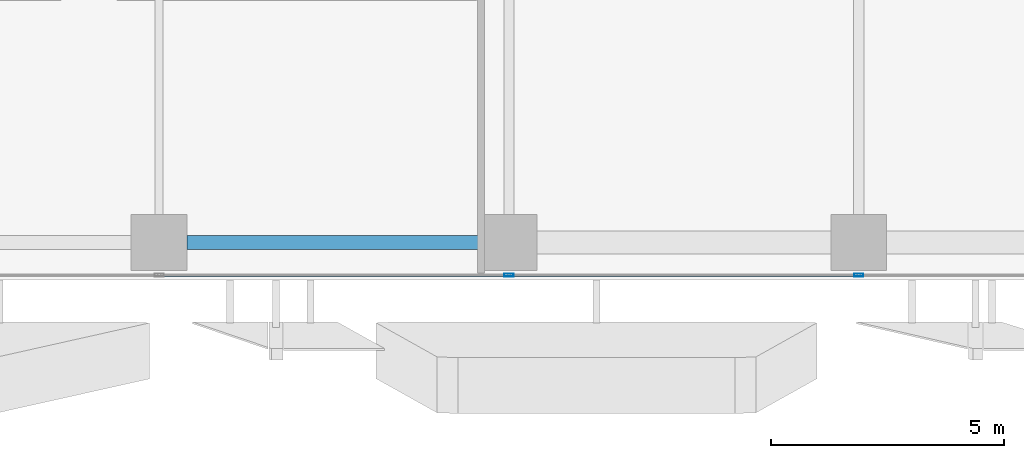
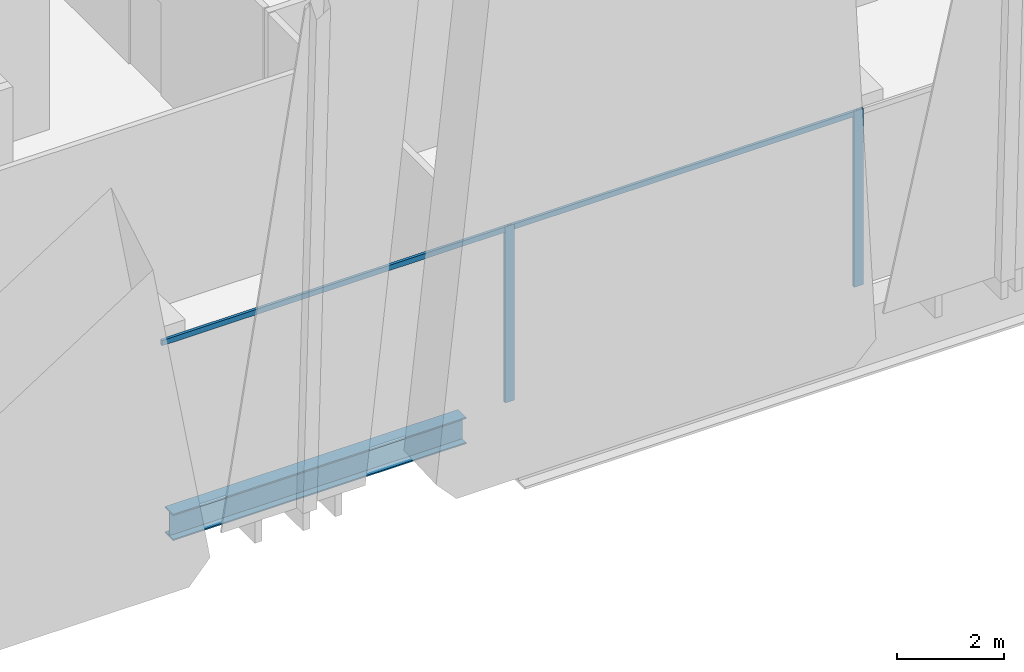
# One storey, part 6 of 46: 4 members, 1 beam, 1 element without a shape of its own.
"""IFC4 building model written with IfcOpenShell, lengths in metres."""

from ifc_helpers import new_model, si_unit, direction, frame, origin, origin_2d, place, context, subcontext, project, spatial, hollow_rectangle, i_section, extrude, source, transform, mapped, material, material_profile, profile_set, type_object, element, aggregate, save


model = new_model("IFC4")

# Units and contexts
model_context = context("Model", 3, precision=1e-05, world=origin(), true_north=direction((0.0, 1.0)))
body_context = subcontext(model_context, "Body", "Model", "MODEL_VIEW")
ifc_project = project(units=[si_unit("LENGTHUNIT", "METRE"), si_unit("AREAUNIT", "SQUARE_METRE"), si_unit("VOLUMEUNIT", "CUBIC_METRE"), si_unit("PLANEANGLEUNIT", "RADIAN"), si_unit("MASSUNIT", "GRAM", prefix="KILO")], contexts=[model_context])

# Site, building, storey
site_placement = place(None, origin())
site = spatial("IfcSite", under=ifc_project, at=site_placement, CompositionType="ELEMENT")
building_placement = place(site_placement, origin())
building = spatial("IfcBuilding", under=site, at=building_placement, Name="Khomas Fold Tower", CompositionType="ELEMENT")
storey_placement = place(building_placement, frame((0.0, 0.0, 33.0)))
storey = spatial("IfcBuildingStorey", under=building, at=storey_placement, Name="L06", CompositionType="ELEMENT", Elevation=33.0)

# Beam
ifc_material_1 = material(Name="Steel S355", Category="steel")
ifc_material_profile_1 = material_profile(ifc_material_1, i_section(OverallWidth=0.300048828125, OverallDepth=0.60009765625, WebThickness=0.015380859375, FlangeThickness=0.030029296875, at=origin_2d()), Name="HE 600 B")
ifc_profile_set_1 = profile_set([ifc_material_profile_1], Name="Steel S355")
beam_type = type_object("IfcBeamType", Name="HE 600 B spandrel SB1", PredefinedType="SPANDREL", material=ifc_profile_set_1)
shared_shape_1 = source(origin(), body_context, "Body", "SweptSolid", [
    extrude(i_section(OverallWidth=0.300048828125, OverallDepth=0.60009765625, WebThickness=0.015380859375, FlangeThickness=0.030029296875, at=origin_2d()), origin(), (0.0, 0.0, 1.0), 6.2998046875),
])
beam_placement = place(storey_placement, frame((20.10009765625, 0.800048828125, -0.800048828125), z_axis=(1.0, 0.0, 0.0), x_axis=(0.0, 1.0, 0.0)))
element("IfcBeam", 1, at=beam_placement, inside=storey, type_object=beam_type, Name="SB1", PredefinedType="SPANDREL", context=body_context, shape_type="MappedRepresentation", body=[
    mapped(shared_shape_1, transform((0.0, 0.0, 0.0))),
])

# Curtain wall, members
ifc_material_2 = material(Name="Aluminium framed double glazing", Category="aluminium")
curtain_wall_type = type_object("IfcCurtainWallType", Name="SK-Unitised clear-glass wall, growing floors CW1", PredefinedType="NOTDEFINED", material=ifc_material_2)
curtain_wall_placement = place(storey_placement, origin())
curtain_wall = element("IfcCurtainWall", 2, at=curtain_wall_placement, inside=storey, type_object=curtain_wall_type, Name="CW1 run L06 00-0", PredefinedType="NOTDEFINED")
ifc_material_3 = material(Name="Aluminium", Category="aluminium")
ifc_material_profile_2 = material_profile(ifc_material_3, hollow_rectangle(XDim=0.06005859375, YDim=0.199951171875, WallThickness=0.00390625, at=origin_2d()), Name="SK-Unitised clear-glass wall, growing floors mullion CW1-M")
ifc_profile_set_2 = profile_set([ifc_material_profile_2], Name="Aluminium")
member_type_1 = type_object("IfcMemberType", Name="SK-Unitised clear-glass wall, growing floors mullion CW1-M", PredefinedType="MULLION", material=ifc_profile_set_2)
shared_shape_2 = source(origin(), body_context, "Body", "SweptSolid", [
    extrude(hollow_rectangle(XDim=0.06005859375, YDim=0.199951171875, WallThickness=0.00390625, at=origin_2d()), origin(), (0.0, 0.0, 1.0), 4.0),
])
member_1_placement = place(storey_placement, frame((27.0, 0.10009765625, 0.0), z_axis=(0.0, 0.0, 1.0), x_axis=(0.0, 1.0, 0.0)))
member_1 = element("IfcMember", 3, at=member_1_placement, type_object=member_type_1, Name="CW1 mullion 5", PredefinedType="MULLION", context=body_context, shape_type="MappedRepresentation", body=[
    mapped(shared_shape_2, transform((0.0, 0.0, 0.0))),
])
member_2_placement = place(storey_placement, frame((34.5, 0.10009765625, 0.0), z_axis=(0.0, 0.0, 1.0), x_axis=(0.0, 1.0, 0.0)))
member_2 = element("IfcMember", 4, at=member_2_placement, type_object=member_type_1, Name="CW1 mullion 6", PredefinedType="MULLION", context=body_context, shape_type="MappedRepresentation", body=[
    mapped(shared_shape_2, transform((0.0, 0.0, 0.0))),
])
ifc_material_4 = material(Name="Aluminium", Category="aluminium")
ifc_material_profile_3 = material_profile(ifc_material_4, hollow_rectangle(XDim=0.06005859375, YDim=0.1201171875, WallThickness=0.00390625, at=origin_2d()), Name="SK-Unitised clear-glass wall, growing floors transom CW1-T")
ifc_profile_set_3 = profile_set([ifc_material_profile_3], Name="Aluminium")
member_type_2 = type_object("IfcMemberType", Name="SK-Unitised clear-glass wall, growing floors transom CW1-T", PredefinedType="USERDEFINED", material=ifc_profile_set_3)
shared_shape_3 = source(origin(), body_context, "Body", "SweptSolid", [
    extrude(hollow_rectangle(XDim=0.06005859375, YDim=0.1201171875, WallThickness=0.00390625, at=origin_2d()), origin(), (0.0, 0.0, 1.0), 7.43994140625),
])
member_3_placement = place(storey_placement, frame((19.530029296875, 0.10009765625, 3.93994140625), z_axis=(1.0, 0.0, 0.0), x_axis=(0.0, 1.0, 0.0)))
member_3 = element("IfcMember", 5, at=member_3_placement, type_object=member_type_2, Name="CW1 transom 4", ObjectType="TRANSOM", PredefinedType="USERDEFINED", context=body_context, shape_type="MappedRepresentation", body=[
    mapped(shared_shape_3, transform((0.0, 0.0, 0.0))),
])
member_4_placement = place(storey_placement, frame((27.030029296875, 0.10009765625, 3.93994140625), z_axis=(1.0, 0.0, 0.0), x_axis=(0.0, 1.0, 0.0)))
member_4 = element("IfcMember", 6, at=member_4_placement, type_object=member_type_2, Name="CW1 transom 5", ObjectType="TRANSOM", PredefinedType="USERDEFINED", context=body_context, shape_type="MappedRepresentation", body=[
    mapped(shared_shape_3, transform((0.0, 0.0, 0.0))),
])
aggregate(curtain_wall, [member_1, member_2, member_3, member_4])

save(model, "model.ifc")
